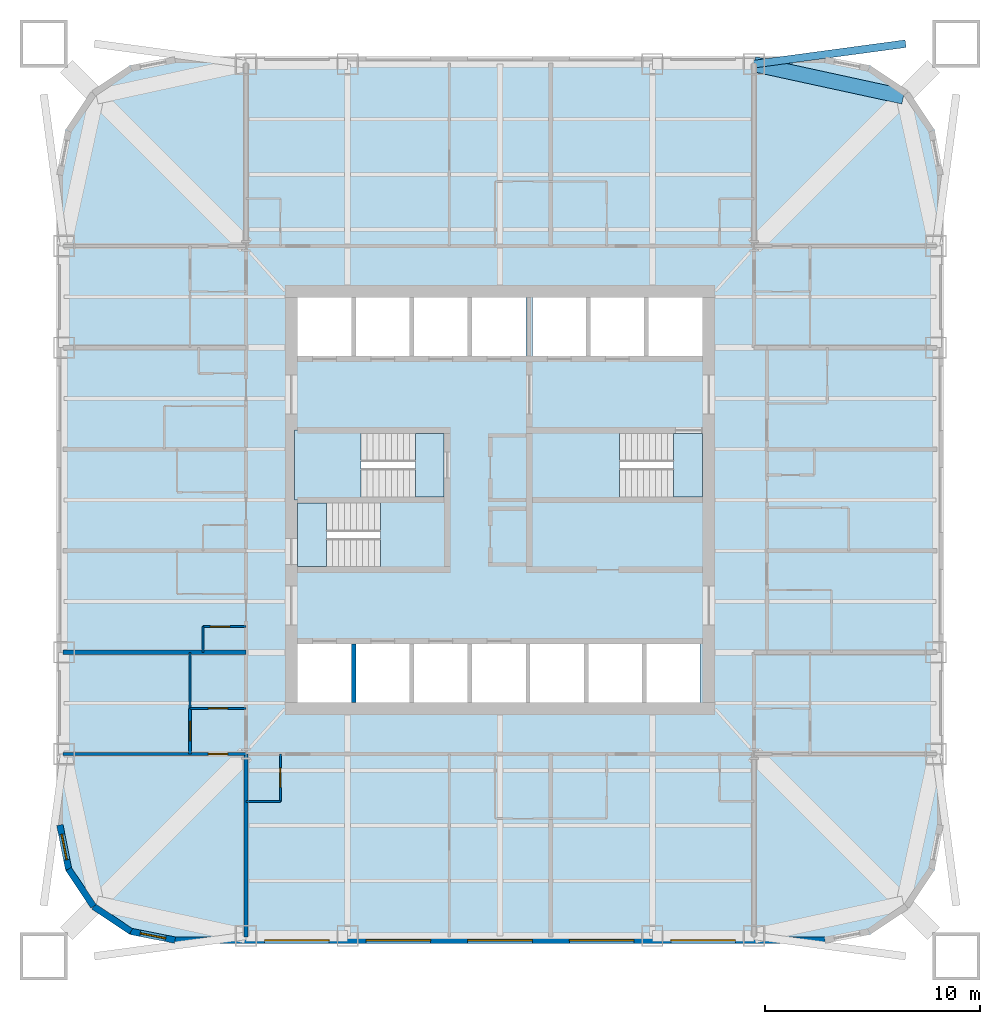
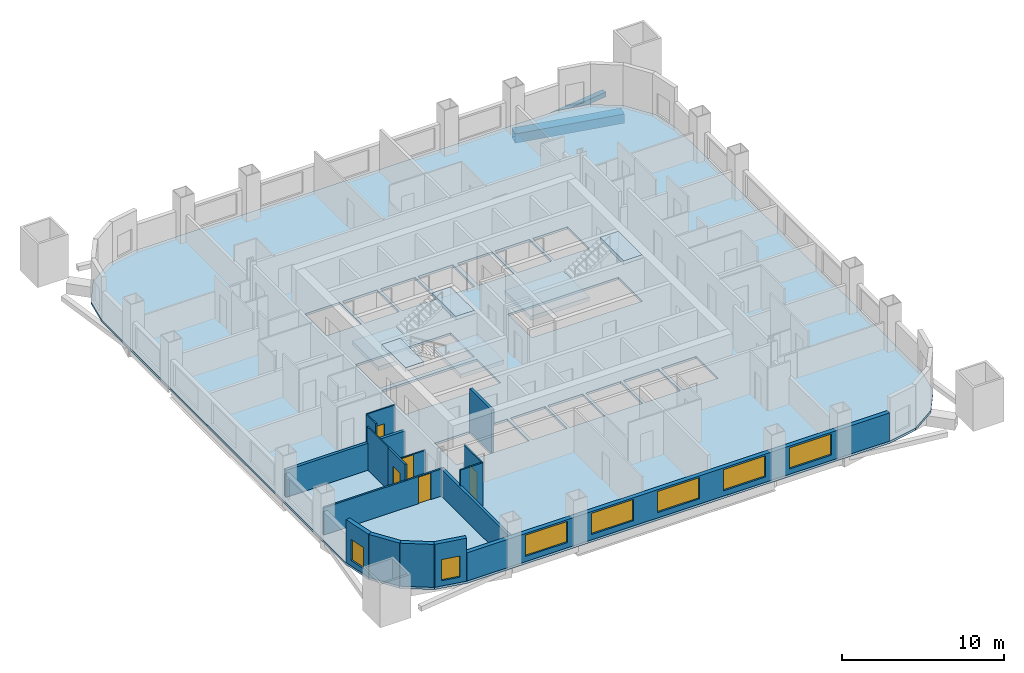
# One storey, part 2 of 8: 16 walls, 7 slabs, 7 windows, 5 doors, 2 beams, 12 openings, 3 elements without a shape of their own.
"""IFC4 building model written with IfcOpenShell, lengths in metres."""

from ifc_helpers import new_model, si_unit, direction, frame, frame_2d, origin, origin_2d, place, context, subcontext, project, spatial, polyline, rectangle, hollow_rectangle, outline, extrude, material, layer, layer_set, material_profile, profile_set, type_object, element, fill, aggregate, save


model = new_model("IFC4")

# Units and contexts
model_context = context("Model", 3, precision=1e-05, world=origin(), true_north=direction((0.0, 1.0)))
body_context = subcontext(model_context, "Body", "Model", "MODEL_VIEW")
ifc_project = project(units=[si_unit("LENGTHUNIT", "METRE"), si_unit("AREAUNIT", "SQUARE_METRE"), si_unit("VOLUMEUNIT", "CUBIC_METRE"), si_unit("PLANEANGLEUNIT", "RADIAN"), si_unit("MASSUNIT", "GRAM", prefix="KILO")], contexts=[model_context])

# Site, building, storey
site_placement = place(None, origin())
site = spatial("IfcSite", under=ifc_project, at=site_placement, CompositionType="ELEMENT")
building_placement = place(site_placement, origin())
building = spatial("IfcBuilding", under=site, at=building_placement, Name="Turquesa Mirador Hotel Tower", CompositionType="ELEMENT")
storey_placement = place(building_placement, frame((0.0, 0.0, 152.89990234375)))
storey = spatial("IfcBuildingStorey", under=building, at=storey_placement, Name="L41", CompositionType="ELEMENT", Elevation=152.89990234375)

# Beams
ifc_material_1 = material(Name="Steel ASTM A572 Grade 50", Category="steel")
ifc_material_profile_1 = material_profile(ifc_material_1, hollow_rectangle(XDim=0.699951171875, YDim=0.699951171875, WallThickness=0.044921875, at=origin_2d()), Name="BOX700X700X45")
ifc_profile_set_1 = profile_set([ifc_material_profile_1], Name="Steel ASTM A572 Grade 50")
beam_type_1 = type_object("IfcBeamType", Name="BEAM BOX700X700X45", PredefinedType="BEAM", material=ifc_profile_set_1)
beam_1_placement = place(storey_placement, frame((73.74169921875, 63.74169921875, -0.52001953125), z_axis=(-0.977198381781, 0.212328336885, 0.0), x_axis=(-0.212328336885, -0.977198381781, 0.0)))
element("IfcBeam", 1, at=beam_1_placement, inside=storey, type_object=beam_type_1, Name="KE-L41-1-1", PredefinedType="BEAM", context=body_context, shape_type="SweptSolid", body=[
    extrude(hollow_rectangle(XDim=0.699951171875, YDim=0.699951171875, WallThickness=0.044921875, at=origin_2d()), origin(), (0.0, 0.0, 1.0), 7.103515625),
])
ifc_material_2 = material(Name="Steel ASTM A500 Grade C", Category="steel")
ifc_material_profile_2 = material_profile(ifc_material_2, hollow_rectangle(XDim=0.355712890625, YDim=0.355712890625, WallThickness=0.0146484375, at=origin_2d()), Name="HSS14X14X5/8")
ifc_profile_set_2 = profile_set([ifc_material_profile_2], Name="Steel ASTM A500 Grade C")
beam_type_2 = type_object("IfcBeamType", Name="BRACE STRUT HSS14X14X5/8", PredefinedType="BEAM", material=ifc_profile_set_2)
beam_2_placement = place(storey_placement, frame((73.844482421875, 66.199951171875, -0.34765625), z_axis=(-0.991029719552, -0.133641666278, 0.0), x_axis=(0.133641666278, -0.991029719552, 0.0)))
element("IfcBeam", 2, at=beam_2_placement, inside=storey, type_object=beam_type_2, Name="Brace strut", PredefinedType="BEAM", context=body_context, shape_type="SweptSolid", body=[
    extrude(hollow_rectangle(XDim=0.355712890625, YDim=0.355712890625, WallThickness=0.0146484375, at=origin_2d()), origin(), (0.0, 0.0, 1.0), 7.108154296875),
])

# Slab
ifc_material_3 = material(Name="Concrete C28/35", Category="concrete")
ifc_layer_1 = layer(ifc_material_3, 0.169921875)
ifc_layer_set_1 = layer_set([ifc_layer_1], Name="COMPOSITE FLOOR SLAB 170")
slab_type_1 = type_object("IfcSlabType", Name="COMPOSITE FLOOR SLAB 170", PredefinedType="FLOOR", material=ifc_layer_set_1)
slab_1_placement = place(storey_placement, frame((0.0, 0.0, -0.169921875)))
element("IfcSlab", 3, at=slab_1_placement, inside=storey, type_object=slab_type_1, Name="Floor slab L41", PredefinedType="FLOOR", context=body_context, shape_type="SweptSolid", body=[
    extrude(outline(polyline([(70.10009765625, 24.39990234375), (72.204833984375, 24.818603515625), (73.989013671875, 26.010986328125), (75.181396484375, 27.795166015625), (75.60009765625, 29.89990234375), (75.60009765625, 60.10009765625), (75.181396484375, 62.204833984375), (73.989013671875, 63.989013671875), (72.204833984375, 65.181396484375), (70.10009765625, 65.60009765625), (39.89990234375, 65.60009765625), (37.795166015625, 65.181396484375), (36.010986328125, 63.989013671875), (34.818603515625, 62.204833984375), (34.39990234375, 60.10009765625), (34.39990234375, 29.89990234375), (34.818603515625, 27.795166015625), (36.010986328125, 26.010986328125), (37.795166015625, 24.818603515625), (39.89990234375, 24.39990234375), (70.10009765625, 24.39990234375)]), holes=[polyline([(45.60009765625, 51.699951171875), (48.10009765625, 51.699951171875), (48.10009765625, 54.39990234375), (45.60009765625, 54.39990234375), (45.60009765625, 51.699951171875)]), polyline([(48.300048828125, 51.699951171875), (50.800048828125, 51.699951171875), (50.800048828125, 54.39990234375), (48.300048828125, 54.39990234375), (48.300048828125, 51.699951171875)]), polyline([(51.0, 51.699951171875), (53.5, 51.699951171875), (53.5, 54.39990234375), (51.0, 54.39990234375), (51.0, 51.699951171875)]), polyline([(53.699951171875, 51.699951171875), (56.199951171875, 51.699951171875), (56.199951171875, 54.39990234375), (53.699951171875, 54.39990234375), (53.699951171875, 51.699951171875)]), polyline([(56.5, 51.699951171875), (59.0, 51.699951171875), (59.0, 54.39990234375), (56.5, 54.39990234375), (56.5, 51.699951171875)]), polyline([(59.199951171875, 51.699951171875), (61.699951171875, 51.699951171875), (61.699951171875, 54.39990234375), (59.199951171875, 54.39990234375), (59.199951171875, 51.699951171875)]), polyline([(45.60009765625, 35.60009765625), (48.10009765625, 35.60009765625), (48.10009765625, 38.300048828125), (45.60009765625, 38.300048828125), (45.60009765625, 35.60009765625)]), polyline([(48.300048828125, 35.60009765625), (50.800048828125, 35.60009765625), (50.800048828125, 38.300048828125), (48.300048828125, 38.300048828125), (48.300048828125, 35.60009765625)]), polyline([(51.0, 35.60009765625), (53.5, 35.60009765625), (53.5, 38.300048828125), (51.0, 38.300048828125), (51.0, 35.60009765625)]), polyline([(53.699951171875, 35.60009765625), (56.199951171875, 35.60009765625), (56.199951171875, 38.300048828125), (53.699951171875, 38.300048828125), (53.699951171875, 35.60009765625)]), polyline([(56.39990234375, 35.60009765625), (58.89990234375, 35.60009765625), (58.89990234375, 38.300048828125), (56.39990234375, 38.300048828125), (56.39990234375, 35.60009765625)]), polyline([(59.10009765625, 35.60009765625), (61.60009765625, 35.60009765625), (61.60009765625, 38.300048828125), (59.10009765625, 38.300048828125), (59.10009765625, 35.60009765625)]), polyline([(61.800048828125, 35.60009765625), (64.300048828125, 35.60009765625), (64.300048828125, 38.300048828125), (61.800048828125, 38.300048828125), (61.800048828125, 35.60009765625)]), polyline([(45.60009765625, 45.14990234375), (52.39990234375, 45.14990234375), (52.39990234375, 48.10009765625), (45.60009765625, 48.10009765625), (45.60009765625, 45.14990234375)]), polyline([(45.60009765625, 41.89990234375), (52.39990234375, 41.89990234375), (52.39990234375, 44.85009765625), (45.60009765625, 44.85009765625), (45.60009765625, 41.89990234375)]), polyline([(56.5, 45.14990234375), (64.39990234375, 45.14990234375), (64.39990234375, 48.10009765625), (56.5, 48.10009765625), (56.5, 45.14990234375)]), polyline([(61.89990234375, 51.699951171875), (64.39990234375, 51.699951171875), (64.39990234375, 54.39990234375), (61.89990234375, 54.39990234375), (61.89990234375, 51.699951171875)])]), origin(), (0.0, 0.0, 1.0), 0.169921875),
])

# Stair, slabs
ifc_material_4 = material(Name="Concrete C35/45", Category="concrete")
stair_type = type_object("IfcStairType", Name="ESCAPE STAIR CORE", PredefinedType="HALF_TURN_STAIR", material=ifc_material_4)
stair_1_placement = place(storey_placement, origin())
stair_1 = element("IfcStair", 4, at=stair_1_placement, inside=storey, type_object=stair_type, Name="Stair ST1 L41 to L42", PredefinedType="HALF_TURN_STAIR")
ifc_material_5 = material(Name="Concrete C35/45", Category="concrete")
ifc_layer_2 = layer(ifc_material_5, 0.300048828125)
ifc_layer_set_2 = layer_set([ifc_layer_2], Name="STAIR LANDING 300")
slab_type_2 = type_object("IfcSlabType", Name="STAIR LANDING 300", PredefinedType="LANDING", material=ifc_layer_set_2)
slab_2_placement = place(storey_placement, frame((0.0, 0.0, 1.4501953125)))
slab_2 = element("IfcSlab", 5, at=slab_2_placement, type_object=slab_type_2, Name="ST1 landing 1", PredefinedType="LANDING", context=body_context, shape_type="SweptSolid", body=[
    extrude(outline(polyline([(45.449951171875, 45.0), (48.550048828125, 45.0), (48.550048828125, 48.25), (45.449951171875, 48.25), (45.449951171875, 45.0)])), origin(), (0.0, 0.0, 1.0), 0.2998046875),
])
slab_3_placement = place(storey_placement, frame((0.0, 0.0, 3.2001953125)))
slab_3 = element("IfcSlab", 6, at=slab_3_placement, type_object=slab_type_2, Name="ST1 landing 2", PredefinedType="LANDING", context=body_context, shape_type="SweptSolid", body=[
    extrude(outline(polyline([(51.070068359375, 45.14990234375), (52.39990234375, 45.14990234375), (52.39990234375, 48.10009765625), (51.070068359375, 48.10009765625), (51.070068359375, 45.14990234375)])), origin(), (0.0, 0.0, 1.0), 0.2998046875),
])
aggregate(stair_1, [slab_2, slab_3])

stair_2_placement = place(storey_placement, origin())
stair_2 = element("IfcStair", 7, at=stair_2_placement, inside=storey, type_object=stair_type, Name="Stair ST2 L41 to L42", PredefinedType="HALF_TURN_STAIR")
slab_4_placement = place(storey_placement, frame((0.0, 0.0, 1.4501953125)))
slab_4 = element("IfcSlab", 8, at=slab_4_placement, type_object=slab_type_2, Name="ST2 landing 1", PredefinedType="LANDING", context=body_context, shape_type="SweptSolid", body=[
    extrude(outline(polyline([(52.550048828125, 45.0), (49.449951171875, 45.0), (49.449951171875, 41.75), (52.550048828125, 41.75), (52.550048828125, 45.0)])), origin(), (0.0, 0.0, 1.0), 0.2998046875),
])
slab_5_placement = place(storey_placement, frame((0.0, 0.0, 3.2001953125)))
slab_5 = element("IfcSlab", 9, at=slab_5_placement, type_object=slab_type_2, Name="ST2 landing 2", PredefinedType="LANDING", context=body_context, shape_type="SweptSolid", body=[
    extrude(outline(polyline([(46.929931640625, 44.85009765625), (45.60009765625, 44.85009765625), (45.60009765625, 41.89990234375), (46.929931640625, 41.89990234375), (46.929931640625, 44.85009765625)])), origin(), (0.0, 0.0, 1.0), 0.2998046875),
])
aggregate(stair_2, [slab_4, slab_5])

stair_3_placement = place(storey_placement, origin())
stair_3 = element("IfcStair", 10, at=stair_3_placement, inside=storey, type_object=stair_type, Name="Stair ST3 L41 to L42", PredefinedType="HALF_TURN_STAIR")
slab_6_placement = place(storey_placement, frame((0.0, 0.0, 1.4501953125)))
slab_6 = element("IfcSlab", 11, at=slab_6_placement, type_object=slab_type_2, Name="ST3 landing 1", PredefinedType="LANDING", context=body_context, shape_type="SweptSolid", body=[
    extrude(outline(polyline([(56.35009765625, 45.0), (60.550048828125, 45.0), (60.550048828125, 48.25), (56.35009765625, 48.25), (56.35009765625, 45.0)])), origin(), (0.0, 0.0, 1.0), 0.2998046875),
])
slab_7_placement = place(storey_placement, frame((0.0, 0.0, 3.2001953125)))
slab_7 = element("IfcSlab", 12, at=slab_7_placement, type_object=slab_type_2, Name="ST3 landing 2", PredefinedType="LANDING", context=body_context, shape_type="SweptSolid", body=[
    extrude(outline(polyline([(63.070068359375, 45.14990234375), (64.39990234375, 45.14990234375), (64.39990234375, 48.10009765625), (63.070068359375, 48.10009765625), (63.070068359375, 45.14990234375)])), origin(), (0.0, 0.0, 1.0), 0.2998046875),
])
aggregate(stair_3, [slab_6, slab_7])

# Wall
ifc_material_6 = material(Name="Gypsum board on steel studs", Category="steel")
ifc_layer_3 = layer(ifc_material_6, 0.10009765625)
ifc_layer_set_3 = layer_set([ifc_layer_3], Name="BATHROOM WALL 100")
wall_type_1 = type_object("IfcWallType", Name="BATHROOM WALL 100", PredefinedType="PARTITIONING", material=ifc_layer_set_3)
wall_1_placement = place(storey_placement, frame((43.199951171875, 31.0, 0.0), z_axis=(0.0, 0.0, 1.0), x_axis=(1.0, 0.0, 0.0)))
element("IfcWall", 13, at=wall_1_placement, inside=storey, type_object=wall_type_1, Name="Partition L41 006", PredefinedType="PARTITIONING", context=body_context, shape_type="SweptSolid", body=[
    extrude(rectangle(XDim=1.60009765625, YDim=0.10009765625, at=frame_2d((0.800048828125, 0.0))), origin(), (0.0, 0.0, 1.0), 3.25),
])

# Wall, opening, door
wall_2_placement = place(storey_placement, frame((41.199951171875, 39.1201171875, 0.0), z_axis=(0.0, 0.0, 1.0), x_axis=(1.0, 0.0, 0.0)))
wall_2 = element("IfcWall", 14, at=wall_2_placement, inside=storey, type_object=wall_type_1, Name="Partition L41 013", PredefinedType="PARTITIONING", context=body_context, shape_type="SweptSolid", body=[
    extrude(rectangle(XDim=2.0, YDim=0.10009765625, at=frame_2d((1.0, 0.0))), origin(), (0.0, 0.0, 1.0), 3.25),
])
opening_1_placement = place(wall_2_placement, frame((0.35009765625, 0.0, 0.0)))
opening_1 = element("IfcOpeningElement", 15, at=opening_1_placement, cuts=wall_2, Name="Opening D06", PredefinedType="OPENING", context=body_context, shape_type="SweptSolid", body=[
    extrude(rectangle(XDim=0.89990234375, YDim=2.10009765625, at=frame_2d((0.449951171875, 1.050048828125))), frame((0.0, 0.06005859375, 0.0), z_axis=(0.0, -1.0, 0.0), x_axis=(1.0, 0.0, 0.0)), (0.0, 0.0, 1.0), 0.1201171875),
])
ifc_material_7 = material(Name="Laminate door", Category="wood")
door_type_1 = type_object("IfcDoorType", Name="DOOR 900X2100 WC", OperationType="SINGLE_SWING_LEFT", PredefinedType="DOOR", material=ifc_material_7)
door_1_placement = place(opening_1_placement, origin())
door_1 = element("IfcDoor", 16, at=door_1_placement, inside=storey, type_object=door_type_1, Name="Door 4108W", OperationType="SINGLE_SWING_LEFT", OverallHeight=2.10009765625, OverallWidth=0.89990234375, PredefinedType="DOOR", context=body_context, shape_type="SweptSolid", body=[
    extrude(rectangle(XDim=0.89990234375, YDim=2.10009765625, at=frame_2d((0.449951171875, 1.050048828125))), frame((0.0, 0.02490234375, 0.0), z_axis=(0.0, -1.0, 0.0), x_axis=(1.0, 0.0, 0.0)), (0.0, 0.0, 1.0), 0.050048828125),
])
fill(opening_1, door_1)

wall_3_placement = place(storey_placement, frame((40.60009765625, 35.320068359375, 0.0), z_axis=(0.0, 0.0, 1.0), x_axis=(1.0, 0.0, 0.0)))
wall_3 = element("IfcWall", 17, at=wall_3_placement, inside=storey, type_object=wall_type_1, Name="Partition L41 017", PredefinedType="PARTITIONING", context=body_context, shape_type="SweptSolid", body=[
    extrude(rectangle(XDim=2.599853515625, YDim=0.10009765625, at=frame_2d((1.2998046875, 0.0))), origin(), (0.0, 0.0, 1.0), 2.132568359375),
])
opening_2_placement = place(wall_3_placement, frame((0.85009765625, 0.0, 0.0)))
opening_2 = element("IfcOpeningElement", 18, at=opening_2_placement, cuts=wall_3, Name="Opening D02", PredefinedType="OPENING", context=body_context, shape_type="SweptSolid", body=[
    extrude(rectangle(XDim=0.89990234375, YDim=2.10009765625, at=frame_2d((0.449951171875, 1.050048828125))), frame((0.0, 0.06005859375, 0.0), z_axis=(0.0, -1.0, 0.0), x_axis=(1.0, 0.0, 0.0)), (0.0, 0.0, 1.0), 0.1201171875),
])
ifc_material_8 = material(Name="Timber veneered door", Category="wood")
door_type_2 = type_object("IfcDoorType", Name="DOOR 900X2100 EN-SUITE", OperationType="SINGLE_SWING_RIGHT", PredefinedType="DOOR", material=ifc_material_8)
door_2_placement = place(opening_2_placement, origin())
door_2 = element("IfcDoor", 19, at=door_2_placement, inside=storey, type_object=door_type_2, Name="Door 4113B", OperationType="SINGLE_SWING_RIGHT", OverallHeight=2.10009765625, OverallWidth=0.89990234375, PredefinedType="DOOR", context=body_context, shape_type="SweptSolid", body=[
    extrude(rectangle(XDim=0.89990234375, YDim=2.10009765625, at=frame_2d((0.449951171875, 1.050048828125))), frame((0.0, 0.02490234375, 0.0), z_axis=(0.0, -1.0, 0.0), x_axis=(1.0, 0.0, 0.0)), (0.0, 0.0, 1.0), 0.050048828125),
])
fill(opening_2, door_2)

wall_4_placement = place(storey_placement, frame((44.800048828125, 31.0, 0.0), z_axis=(0.0, 0.0, 1.0), x_axis=(0.0, 1.0, 0.0)))
wall_4 = element("IfcWall", 20, at=wall_4_placement, inside=storey, type_object=wall_type_1, Name="Partition L41 039", PredefinedType="PARTITIONING", context=body_context, shape_type="SweptSolid", body=[
    extrude(rectangle(XDim=2.199951171875, YDim=0.10009765625, at=frame_2d((1.10009765625, 0.0))), origin(), (0.0, 0.0, 1.0), 3.25),
])
opening_3_placement = place(wall_4_placement, frame((0.64990234375, 0.0, 0.0)))
opening_3 = element("IfcOpeningElement", 21, at=opening_3_placement, cuts=wall_4, Name="Opening D06", PredefinedType="OPENING", context=body_context, shape_type="SweptSolid", body=[
    extrude(rectangle(XDim=0.89990234375, YDim=2.10009765625, at=frame_2d((0.449951171875, 1.050048828125))), frame((0.0, 0.06005859375, 0.0), z_axis=(0.0, -1.0, 0.0), x_axis=(1.0, 0.0, 0.0)), (0.0, 0.0, 1.0), 0.1201171875),
])
door_3_placement = place(opening_3_placement, origin())
door_3 = element("IfcDoor", 22, at=door_3_placement, inside=storey, type_object=door_type_1, Name="Door 4103W", OperationType="SINGLE_SWING_LEFT", OverallHeight=2.10009765625, OverallWidth=0.89990234375, PredefinedType="DOOR", context=body_context, shape_type="SweptSolid", body=[
    extrude(rectangle(XDim=0.89990234375, YDim=2.10009765625, at=frame_2d((0.449951171875, 1.050048828125))), frame((0.0, 0.02490234375, 0.0), z_axis=(0.0, -1.0, 0.0), x_axis=(1.0, 0.0, 0.0)), (0.0, 0.0, 1.0), 0.050048828125),
])
fill(opening_3, door_3)

# Walls
wall_5_placement = place(storey_placement, frame((41.199951171875, 37.919921875, 0.0), z_axis=(0.0, 0.0, 1.0), x_axis=(0.0, 1.0, 0.0)))
element("IfcWall", 23, at=wall_5_placement, inside=storey, type_object=wall_type_1, Name="Partition L41 044", PredefinedType="PARTITIONING", context=body_context, shape_type="SweptSolid", body=[
    extrude(rectangle(XDim=1.2001953125, YDim=0.10009765625, at=frame_2d((0.60009765625, 0.0))), origin(), (0.0, 0.0, 1.0), 3.25),
])
wall_6_placement = place(storey_placement, frame((40.60009765625, 35.320068359375, 0.0), z_axis=(0.0, 0.0, 1.0), x_axis=(0.0, 1.0, 0.0)))
element("IfcWall", 24, at=wall_6_placement, inside=storey, type_object=wall_type_1, Name="Partition L41 047", PredefinedType="PARTITIONING", context=body_context, shape_type="SweptSolid", body=[
    extrude(rectangle(XDim=2.599853515625, YDim=0.10009765625, at=frame_2d((1.2998046875, 0.0))), origin(), (0.0, 0.0, 1.0), 3.25),
])

# Wall, opening, window
ifc_material_9 = material(Name="Limestone cladding on concrete block", Category="masonry")
ifc_layer_4 = layer(ifc_material_9, 0.300048828125)
ifc_layer_set_4 = layer_set([ifc_layer_4], Name="FACADE WALL 300 STONE SCREEN")
wall_type_2 = type_object("IfcWallType", Name="FACADE WALL 300 STONE SCREEN", PredefinedType="SOLIDWALL", material=ifc_layer_set_4)
wall_7_placement = place(storey_placement, frame((34.550048828125, 29.89990234375, 0.0), z_axis=(0.0, 0.0, 1.0), x_axis=(0.195081421501, -0.980787050784, 0.0)))
wall_7 = element("IfcWall", 25, at=wall_7_placement, inside=storey, type_object=wall_type_2, Name="Facade wall L41 15", PredefinedType="SOLIDWALL", context=body_context, shape_type="SweptSolid", body=[
    extrude(rectangle(XDim=2.08740234375, YDim=0.300048828125, at=frame_2d((1.043701171875, 0.0))), origin(), (0.0, 0.0, 1.0), 3.25),
])
opening_4_placement = place(wall_7_placement, frame((0.443603515625, 0.0, 0.39990234375)))
opening_4 = element("IfcOpeningElement", 26, at=opening_4_placement, cuts=wall_7, Name="Opening WN8", PredefinedType="OPENING", context=body_context, shape_type="SweptSolid", body=[
    extrude(rectangle(XDim=1.199951171875, YDim=1.60009765625, at=frame_2d((0.60009765625, 0.800048828125))), frame((0.0, 0.159912109375, 0.0), z_axis=(0.0, -1.0, 0.0), x_axis=(1.0, 0.0, 0.0)), (0.0, 0.0, 1.0), 0.320068359375),
])
ifc_material_10 = material(Name="Ceramic-fritted laminated glass", Category="glass")
window_type_1 = type_object("IfcWindowType", Name="FRITTED CORNER WINDOW 1200X1600", PartitioningType="DOUBLE_PANEL_HORIZONTAL", PredefinedType="WINDOW", material=ifc_material_10)
window_1_placement = place(opening_4_placement, origin())
window_1 = element("IfcWindow", 27, at=window_1_placement, inside=storey, type_object=window_type_1, Name="Window L41", OverallHeight=1.60009765625, OverallWidth=1.199951171875, PartitioningType="SINGLE_PANEL", PredefinedType="WINDOW", context=body_context, shape_type="SweptSolid", body=[
    extrude(rectangle(XDim=1.199951171875, YDim=1.60009765625, at=frame_2d((0.60009765625, 0.800048828125))), frame((0.0, 0.030029296875, 0.0), z_axis=(0.0, -1.0, 0.0), x_axis=(1.0, 0.0, 0.0)), (0.0, 0.0, 1.0), 0.06005859375),
])
fill(opening_4, window_1)

# Walls
for number, where, z_axis, x_axis, name in (
    (28, (34.957275390625, 27.8525390625, 0.0), (0.0, 0.0, 1.0), (0.555563607591, -0.831474039234, 0.0), "Facade wall L41 16"),
    (29, (36.116943359375, 26.116943359375, 0.0), (0.0, 0.0, 1.0), (0.831474039234, -0.555563607591, 0.0), "Facade wall L41 17"),
):
    element("IfcWall", number, at=place(storey_placement, frame(where, z_axis=z_axis, x_axis=x_axis)), inside=storey, type_object=wall_type_2, Name=name, PredefinedType="SOLIDWALL", context=body_context, shape_type="SweptSolid", body=[
        extrude(rectangle(XDim=2.08740234375, YDim=0.300048828125, at=frame_2d((1.043701171875, 0.0))), origin(), (0.0, 0.0, 1.0), 3.25),
    ])

# Wall, opening, window
wall_8_placement = place(storey_placement, frame((37.8525390625, 24.957275390625, 0.0), z_axis=(0.0, 0.0, 1.0), x_axis=(0.980787050784, -0.195081421501, 0.0)))
wall_8 = element("IfcWall", 30, at=wall_8_placement, inside=storey, type_object=wall_type_2, Name="Facade wall L41 18", PredefinedType="SOLIDWALL", context=body_context, shape_type="SweptSolid", body=[
    extrude(rectangle(XDim=2.08740234375, YDim=0.300048828125, at=frame_2d((1.043701171875, 0.0))), origin(), (0.0, 0.0, 1.0), 3.25),
])
opening_5_placement = place(wall_8_placement, frame((0.443603515625, 0.0, 0.39990234375)))
opening_5 = element("IfcOpeningElement", 31, at=opening_5_placement, cuts=wall_8, Name="Opening WN8", PredefinedType="OPENING", context=body_context, shape_type="SweptSolid", body=[
    extrude(rectangle(XDim=1.199951171875, YDim=1.60009765625, at=frame_2d((0.60009765625, 0.800048828125))), frame((0.0, 0.159912109375, 0.0), z_axis=(0.0, -1.0, 0.0), x_axis=(1.0, 0.0, 0.0)), (0.0, 0.0, 1.0), 0.320068359375),
])
window_2_placement = place(opening_5_placement, origin())
window_2 = element("IfcWindow", 32, at=window_2_placement, inside=storey, type_object=window_type_1, Name="Window L41", OverallHeight=1.60009765625, OverallWidth=1.199951171875, PartitioningType="SINGLE_PANEL", PredefinedType="WINDOW", context=body_context, shape_type="SweptSolid", body=[
    extrude(rectangle(XDim=1.199951171875, YDim=1.60009765625, at=frame_2d((0.60009765625, 0.800048828125))), frame((0.0, 0.030029296875, 0.0), z_axis=(0.0, -1.0, 0.0), x_axis=(1.0, 0.0, 0.0)), (0.0, 0.0, 1.0), 0.06005859375),
])
fill(opening_5, window_2)

# Wall, openings, windows
wall_9_placement = place(storey_placement, frame((39.89990234375, 24.550048828125, 0.0), z_axis=(0.0, 0.0, 1.0), x_axis=(1.0, 0.0, 0.0)))
wall_9 = element("IfcWall", 33, at=wall_9_placement, inside=storey, type_object=wall_type_2, Name="Facade wall L41 19", PredefinedType="SOLIDWALL", context=body_context, shape_type="SweptSolid", body=[
    extrude(rectangle(XDim=30.2001953125, YDim=0.300048828125, at=frame_2d((15.10009765625, 0.0))), origin(), (0.0, 0.0, 1.0), 2.132568359375),
])
opening_6_placement = place(wall_9_placement, frame((4.159912109375, 0.0, 0.39990234375)))
opening_6 = element("IfcOpeningElement", 34, at=opening_6_placement, cuts=wall_9, Name="Opening WN7", PredefinedType="OPENING", context=body_context, shape_type="SweptSolid", body=[
    extrude(rectangle(XDim=3.0, YDim=1.60009765625, at=frame_2d((1.5, 0.800048828125))), frame((0.0, 0.159912109375, 0.0), z_axis=(0.0, -1.0, 0.0), x_axis=(1.0, 0.0, 0.0)), (0.0, 0.0, 1.0), 0.320068359375),
])
opening_7_placement = place(wall_9_placement, frame((8.8798828125, 0.0, 0.39990234375)))
opening_7 = element("IfcOpeningElement", 35, at=opening_7_placement, cuts=wall_9, Name="Opening WN7", PredefinedType="OPENING", context=body_context, shape_type="SweptSolid", body=[
    extrude(rectangle(XDim=3.0, YDim=1.60009765625, at=frame_2d((1.5, 0.800048828125))), frame((0.0, 0.159912109375, 0.0), z_axis=(0.0, -1.0, 0.0), x_axis=(1.0, 0.0, 0.0)), (0.0, 0.0, 1.0), 0.320068359375),
])
opening_8_placement = place(wall_9_placement, frame((13.60009765625, 0.0, 0.39990234375)))
opening_8 = element("IfcOpeningElement", 36, at=opening_8_placement, cuts=wall_9, Name="Opening WN7", PredefinedType="OPENING", context=body_context, shape_type="SweptSolid", body=[
    extrude(rectangle(XDim=3.0, YDim=1.60009765625, at=frame_2d((1.5, 0.800048828125))), frame((0.0, 0.159912109375, 0.0), z_axis=(0.0, -1.0, 0.0), x_axis=(1.0, 0.0, 0.0)), (0.0, 0.0, 1.0), 0.320068359375),
])
opening_9_placement = place(wall_9_placement, frame((18.320068359375, 0.0, 0.39990234375)))
opening_9 = element("IfcOpeningElement", 37, at=opening_9_placement, cuts=wall_9, Name="Opening WN7", PredefinedType="OPENING", context=body_context, shape_type="SweptSolid", body=[
    extrude(rectangle(XDim=3.0, YDim=1.60009765625, at=frame_2d((1.5, 0.800048828125))), frame((0.0, 0.159912109375, 0.0), z_axis=(0.0, -1.0, 0.0), x_axis=(1.0, 0.0, 0.0)), (0.0, 0.0, 1.0), 0.320068359375),
])
opening_10_placement = place(wall_9_placement, frame((23.0400390625, 0.0, 0.39990234375)))
opening_10 = element("IfcOpeningElement", 38, at=opening_10_placement, cuts=wall_9, Name="Opening WN7", PredefinedType="OPENING", context=body_context, shape_type="SweptSolid", body=[
    extrude(rectangle(XDim=3.0, YDim=1.60009765625, at=frame_2d((1.5, 0.800048828125))), frame((0.0, 0.159912109375, 0.0), z_axis=(0.0, -1.0, 0.0), x_axis=(1.0, 0.0, 0.0)), (0.0, 0.0, 1.0), 0.320068359375),
])
ifc_material_11 = material(Name="Ceramic-fritted laminated glass", Category="glass")
window_type_2 = type_object("IfcWindowType", Name="FRITTED WINDOW 3000X1600", PartitioningType="DOUBLE_PANEL_HORIZONTAL", PredefinedType="WINDOW", material=ifc_material_11)
window_3_placement = place(opening_6_placement, origin())
window_3 = element("IfcWindow", 39, at=window_3_placement, inside=storey, type_object=window_type_2, Name="Window L41", OverallHeight=1.60009765625, OverallWidth=3.0, PartitioningType="SINGLE_PANEL", PredefinedType="WINDOW", context=body_context, shape_type="SweptSolid", body=[
    extrude(rectangle(XDim=3.0, YDim=1.60009765625, at=frame_2d((1.5, 0.800048828125))), frame((0.0, 0.030029296875, 0.0), z_axis=(0.0, -1.0, 0.0), x_axis=(1.0, 0.0, 0.0)), (0.0, 0.0, 1.0), 0.06005859375),
])
fill(opening_6, window_3)
window_4_placement = place(opening_7_placement, origin())
window_4 = element("IfcWindow", 40, at=window_4_placement, inside=storey, type_object=window_type_2, Name="Window L41", OverallHeight=1.60009765625, OverallWidth=3.0, PartitioningType="SINGLE_PANEL", PredefinedType="WINDOW", context=body_context, shape_type="SweptSolid", body=[
    extrude(rectangle(XDim=3.0, YDim=1.60009765625, at=frame_2d((1.5, 0.800048828125))), frame((0.0, 0.030029296875, 0.0), z_axis=(0.0, -1.0, 0.0), x_axis=(1.0, 0.0, 0.0)), (0.0, 0.0, 1.0), 0.06005859375),
])
fill(opening_7, window_4)
window_5_placement = place(opening_8_placement, origin())
window_5 = element("IfcWindow", 41, at=window_5_placement, inside=storey, type_object=window_type_2, Name="Window L41", OverallHeight=1.60009765625, OverallWidth=3.0, PartitioningType="SINGLE_PANEL", PredefinedType="WINDOW", context=body_context, shape_type="SweptSolid", body=[
    extrude(rectangle(XDim=3.0, YDim=1.60009765625, at=frame_2d((1.5, 0.800048828125))), frame((0.0, 0.030029296875, 0.0), z_axis=(0.0, -1.0, 0.0), x_axis=(1.0, 0.0, 0.0)), (0.0, 0.0, 1.0), 0.06005859375),
])
fill(opening_8, window_5)
window_6_placement = place(opening_9_placement, origin())
window_6 = element("IfcWindow", 42, at=window_6_placement, inside=storey, type_object=window_type_2, Name="Window L41", OverallHeight=1.60009765625, OverallWidth=3.0, PartitioningType="SINGLE_PANEL", PredefinedType="WINDOW", context=body_context, shape_type="SweptSolid", body=[
    extrude(rectangle(XDim=3.0, YDim=1.60009765625, at=frame_2d((1.5, 0.800048828125))), frame((0.0, 0.030029296875, 0.0), z_axis=(0.0, -1.0, 0.0), x_axis=(1.0, 0.0, 0.0)), (0.0, 0.0, 1.0), 0.06005859375),
])
fill(opening_9, window_6)
window_7_placement = place(opening_10_placement, origin())
window_7 = element("IfcWindow", 43, at=window_7_placement, inside=storey, type_object=window_type_2, Name="Window L41", OverallHeight=1.60009765625, OverallWidth=3.0, PartitioningType="SINGLE_PANEL", PredefinedType="WINDOW", context=body_context, shape_type="SweptSolid", body=[
    extrude(rectangle(XDim=3.0, YDim=1.60009765625, at=frame_2d((1.5, 0.800048828125))), frame((0.0, 0.030029296875, 0.0), z_axis=(0.0, -1.0, 0.0), x_axis=(1.0, 0.0, 0.0)), (0.0, 0.0, 1.0), 0.06005859375),
])
fill(opening_10, window_7)

# Walls
ifc_material_12 = material(Name="Fire-rated gypsum shaft wall on steel studs", Category="steel")
ifc_layer_5 = layer(ifc_material_12, 0.199951171875)
ifc_layer_set_5 = layer_set([ifc_layer_5], Name="LIFT SHAFT DIVIDER 200")
wall_type_3 = type_object("IfcWallType", Name="LIFT SHAFT DIVIDER 200", PredefinedType="PARTITIONING", material=ifc_layer_set_5)
wall_10_placement = place(storey_placement, frame((48.199951171875, 35.60009765625, 0.0), z_axis=(0.0, 0.0, 1.0), x_axis=(0.0, 1.0, 0.0)))
element("IfcWall", 44, at=wall_10_placement, inside=storey, type_object=wall_type_3, Name="Lift shaft divider", PredefinedType="PARTITIONING", context=body_context, shape_type="SweptSolid", body=[
    extrude(rectangle(XDim=2.699951171875, YDim=0.199951171875, at=frame_2d((1.35009765625, 0.0))), origin(), (0.0, 0.0, 1.0), 3.25),
])
ifc_material_13 = material(Name="Fire-rated gypsum board on steel studs", Category="steel")
ifc_layer_6 = layer(ifc_material_13, 0.199951171875)
ifc_layer_set_6 = layer_set([ifc_layer_6], Name="PARTY WALL 200")
wall_type_4 = type_object("IfcWallType", Name="PARTY WALL 200", PredefinedType="PARTITIONING", material=ifc_layer_set_6)
for number, where, z_axis, x_axis, name in (
    (45, (34.699951171875, 37.919921875, 0.0), (0.0, 0.0, 1.0), (1.0, 0.0, 0.0), "Partition L41 015"),
    (46, (43.199951171875, 24.699951171875, 0.0), (0.0, 0.0, 1.0), (0.0, 1.0, 0.0), "Partition L41 042"),
):
    element("IfcWall", number, at=place(storey_placement, frame(where, z_axis=z_axis, x_axis=x_axis)), inside=storey, type_object=wall_type_4, Name=name, PredefinedType="PARTITIONING", context=body_context, shape_type="SweptSolid", body=[
        extrude(rectangle(XDim=8.5, YDim=0.199951171875, at=frame_2d((4.25, 0.0))), origin(), (0.0, 0.0, 1.0), 2.050048828125),
    ])

# Wall, opening, door
ifc_material_14 = material(Name="Acoustic gypsum board on steel studs", Category="steel")
ifc_layer_7 = layer(ifc_material_14, 0.125)
ifc_layer_set_7 = layer_set([ifc_layer_7], Name="SUITE PARTITION 125")
wall_type_5 = type_object("IfcWallType", Name="SUITE PARTITION 125", PredefinedType="PARTITIONING", material=ifc_layer_set_7)
wall_11_placement = place(storey_placement, frame((34.699951171875, 33.199951171875, 0.0), z_axis=(0.0, 0.0, 1.0), x_axis=(1.0, 0.0, 0.0)))
wall_11 = element("IfcWall", 47, at=wall_11_placement, inside=storey, type_object=wall_type_5, Name="Partition L41 004", PredefinedType="PARTITIONING", context=body_context, shape_type="SweptSolid", body=[
    extrude(rectangle(XDim=8.5, YDim=0.125, at=frame_2d((4.25, 0.0))), origin(), (0.0, 0.0, 1.0), 2.050048828125),
])
opening_11_placement = place(wall_11_placement, frame((6.75, 0.0, 0.0)))
opening_11 = element("IfcOpeningElement", 48, at=opening_11_placement, cuts=wall_11, Name="Opening D24", PredefinedType="OPENING", context=body_context, shape_type="SweptSolid", body=[
    extrude(rectangle(XDim=0.89990234375, YDim=2.0, at=frame_2d((0.449951171875, 1.0))), frame((0.0, 0.072509765625, 0.0), z_axis=(0.0, -1.0, 0.0), x_axis=(1.0, 0.0, 0.0)), (0.0, 0.0, 1.0), 0.14501953125),
])
ifc_material_15 = material(Name="Timber veneered door", Category="wood")
door_type_3 = type_object("IfcDoorType", Name="DOOR 900X2000 SUITE INTERNAL", OperationType="SINGLE_SWING_LEFT", PredefinedType="DOOR", material=ifc_material_15)
door_4_placement = place(opening_11_placement, origin())
door_4 = element("IfcDoor", 49, at=door_4_placement, inside=storey, type_object=door_type_3, Name="Door 4113", OperationType="SINGLE_SWING_LEFT", OverallHeight=2.0, OverallWidth=0.89990234375, PredefinedType="DOOR", context=body_context, shape_type="SweptSolid", body=[
    extrude(rectangle(XDim=0.89990234375, YDim=2.0, at=frame_2d((0.449951171875, 1.0))), frame((0.0, 0.02490234375, 0.0), z_axis=(0.0, -1.0, 0.0), x_axis=(1.0, 0.0, 0.0)), (0.0, 0.0, 1.0), 0.050048828125),
])
fill(opening_11, door_4)

wall_12_placement = place(storey_placement, frame((40.60009765625, 33.199951171875, 0.0), z_axis=(0.0, 0.0, 1.0), x_axis=(0.0, 1.0, 0.0)))
wall_12 = element("IfcWall", 50, at=wall_12_placement, inside=storey, type_object=wall_type_5, Name="Partition L41 049", PredefinedType="PARTITIONING", context=body_context, shape_type="SweptSolid", body=[
    extrude(rectangle(XDim=2.1201171875, YDim=0.125, at=frame_2d((1.06005859375, 0.0))), origin(), (0.0, 0.0, 1.0), 3.25),
])
opening_12_placement = place(wall_12_placement, frame((0.610107421875, 0.0, 0.0)))
opening_12 = element("IfcOpeningElement", 51, at=opening_12_placement, cuts=wall_12, Name="Opening D17", PredefinedType="OPENING", context=body_context, shape_type="SweptSolid", body=[
    extrude(rectangle(XDim=0.89990234375, YDim=2.199951171875, at=frame_2d((0.449951171875, 1.10009765625))), frame((0.0, 0.072509765625, 0.0), z_axis=(0.0, -1.0, 0.0), x_axis=(1.0, 0.0, 0.0)), (0.0, 0.0, 1.0), 0.14501953125),
])
ifc_material_16 = material(Name="Timber veneered door", Category="wood")
door_type_4 = type_object("IfcDoorType", Name="DOOR 900X2200 SUITE INTERNAL", OperationType="SINGLE_SWING_LEFT", PredefinedType="DOOR", material=ifc_material_16)
door_5_placement = place(opening_12_placement, origin())
door_5 = element("IfcDoor", 52, at=door_5_placement, inside=storey, type_object=door_type_4, Name="Door 4113R", OperationType="SINGLE_SWING_LEFT", OverallHeight=2.199951171875, OverallWidth=0.89990234375, PredefinedType="DOOR", context=body_context, shape_type="SweptSolid", body=[
    extrude(rectangle(XDim=0.89990234375, YDim=2.199951171875, at=frame_2d((0.449951171875, 1.10009765625))), frame((0.0, 0.02490234375, 0.0), z_axis=(0.0, -1.0, 0.0), x_axis=(1.0, 0.0, 0.0)), (0.0, 0.0, 1.0), 0.050048828125),
])
fill(opening_12, door_5)

save(model, "model.ifc")
